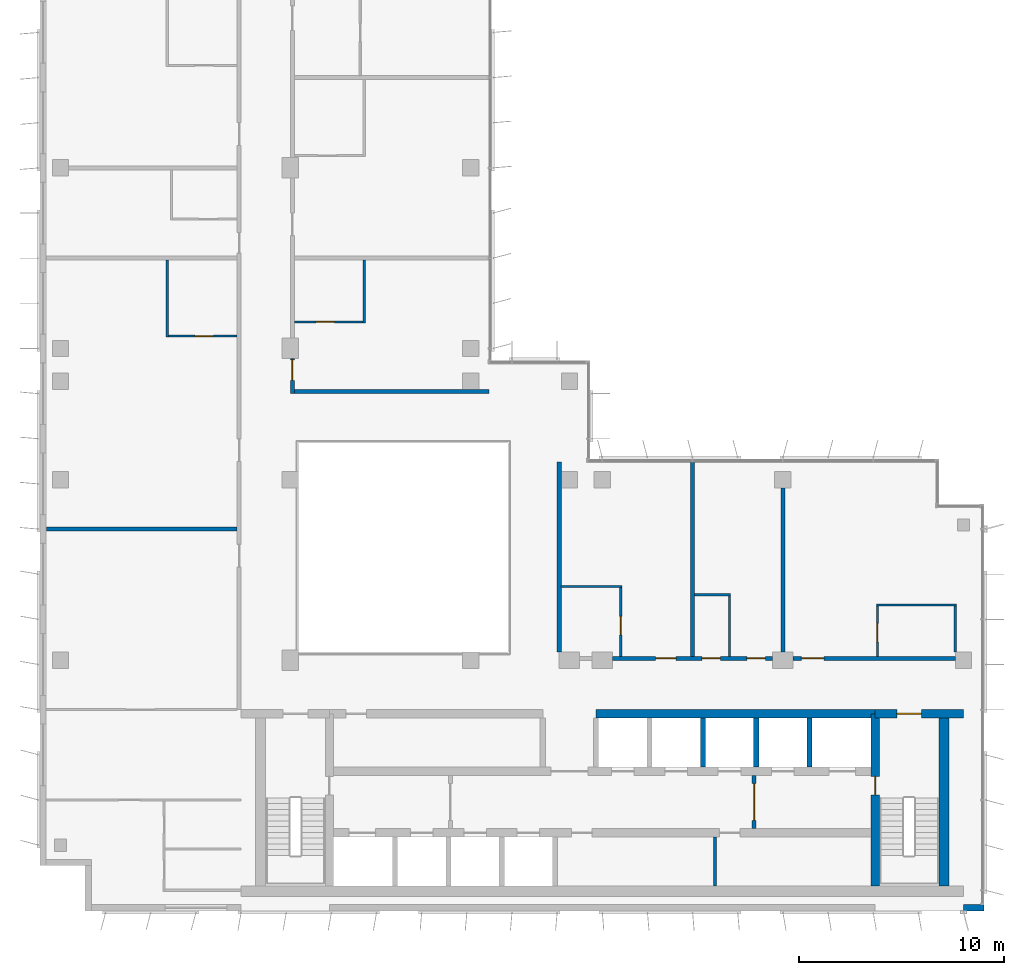
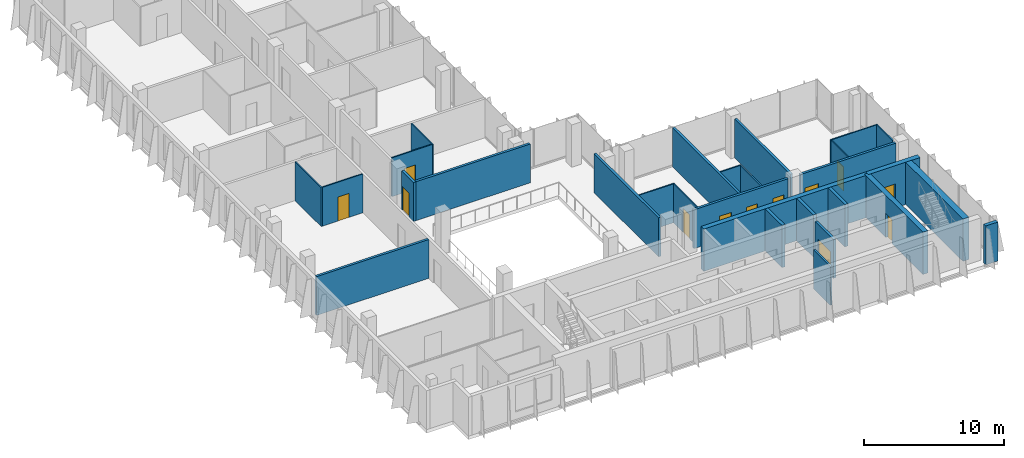
# One storey, part 10 of 15: 29 walls, 12 doors, 12 openings.
"""IFC4 building model written with IfcOpenShell, lengths in metres."""

from ifc_helpers import new_model, si_unit, direction, frame, frame_2d, origin, place, context, subcontext, project, spatial, rectangle, extrude, material, layer, layer_set, type_object, element, fill, save


model = new_model("IFC4")

# Units and contexts
model_context = context("Model", 3, precision=1e-05, world=origin(), true_north=direction((0.0, 1.0)))
body_context = subcontext(model_context, "Body", "Model", "MODEL_VIEW")
ifc_project = project(units=[si_unit("LENGTHUNIT", "METRE"), si_unit("AREAUNIT", "SQUARE_METRE"), si_unit("VOLUMEUNIT", "CUBIC_METRE"), si_unit("PLANEANGLEUNIT", "RADIAN"), si_unit("MASSUNIT", "GRAM", prefix="KILO")], contexts=[model_context])

# Site, building, storey
site_placement = place(None, origin())
site = spatial("IfcSite", under=ifc_project, at=site_placement, CompositionType="ELEMENT")
building_placement = place(site_placement, origin())
building = spatial("IfcBuilding", under=site, at=building_placement, Name="Kemantara Hotel Tower", CompositionType="ELEMENT")
storey_placement = place(building_placement, frame((0.0, 0.0, 264.800048828125)))
storey = spatial("IfcBuildingStorey", under=building, at=storey_placement, Name="L66", CompositionType="ELEMENT", Elevation=264.800048828125)

# Walls
ifc_material_1 = material(Name="Bronze anodised aluminium cladding on insulated steel stud wall", Category="steel")
ifc_layer_1 = layer(ifc_material_1, 0.300048828125)
ifc_layer_set_1 = layer_set([ifc_layer_1], Name="Bronze anodised aluminium cladding on insulated steel stud wall")
wall_type_1 = type_object("IfcWallType", Name="BRONZE METAL-CLAD EXTERNAL WALL 300", PredefinedType="STANDARD", material=ifc_layer_set_1)
wall_1_placement = place(storey_placement, frame((45.0, 0.14990234375, 0.0), z_axis=(0.0, 0.0, 1.0), x_axis=(1.0, 0.0, 0.0)))
element("IfcWall", 1, at=wall_1_placement, inside=storey, type_object=wall_type_1, Name="EXTERNAL WALL L66 T4-R08-3", PredefinedType="STANDARD", context=body_context, shape_type="SweptSolid", body=[
    extrude(rectangle(XDim=1.0, YDim=0.300048828125, at=frame_2d((0.5, 0.0))), origin(), (0.0, 0.0, 1.0), 3.39990234375),
])
ifc_material_2 = material(Name="Concrete fc 50 MPa", Category="concrete")
ifc_layer_2 = layer(ifc_material_2, 0.25)
ifc_layer_set_2 = layer_set([ifc_layer_2], Name="Concrete fc 50 MPa")
wall_type_2 = type_object("IfcWallType", Name="CORE WALL 250 FC50", PredefinedType="SHEAR", material=ifc_layer_set_2)
for number, where, z_axis, x_axis, name in (
    (2, (32.300048828125, 7.0, 0.0), (0.0, 0.0, 1.0), (0.0, 1.0, 0.0), "CORE WALL CW-DN32.3"),
    (3, (34.89990234375, 7.0, 0.0), (0.0, 0.0, 1.0), (0.0, 1.0, 0.0), "CORE WALL CW-DN34.9"),
    (4, (37.5, 7.0, 0.0), (0.0, 0.0, 1.0), (0.0, 1.0, 0.0), "CORE WALL CW-DN37.5"),
):
    element("IfcWall", number, at=place(storey_placement, frame(where, z_axis=z_axis, x_axis=x_axis)), inside=storey, type_object=wall_type_2, Name=name, PredefinedType="SHEAR", context=body_context, shape_type="SweptSolid", body=[
        extrude(rectangle(XDim=2.39990234375, YDim=0.25, at=frame_2d((1.199951171875, 0.0))), origin(), (0.0, 0.0, 1.0), 3.699951171875),
    ])

# Wall, opening, door
ifc_layer_3 = layer(ifc_material_2, 0.39990234375)
ifc_layer_set_3 = layer_set([ifc_layer_3], Name="Concrete fc 50 MPa")
wall_type_3 = type_object("IfcWallType", Name="CORE WALL 400 FC50", PredefinedType="SHEAR", material=ifc_layer_set_3)
wall_2_placement = place(storey_placement, frame((40.699951171875, 9.60009765625, 0.0), z_axis=(0.0, 0.0, 1.0), x_axis=(1.0, 0.0, 0.0)))
wall_2 = element("IfcWall", 5, at=wall_2_placement, inside=storey, type_object=wall_type_3, Name="CORE WALL CW-N2", PredefinedType="SHEAR", context=body_context, shape_type="SweptSolid", body=[
    extrude(rectangle(XDim=4.300048828125, YDim=0.39990234375, at=frame_2d((2.14990234375, 0.0))), origin(), (0.0, 0.0, 1.0), 3.699951171875),
])
opening_1_placement = place(wall_2_placement, frame((1.050048828125, 0.0, 0.0)))
opening_1 = element("IfcOpeningElement", 6, at=opening_1_placement, cuts=wall_2, Name="Opening C39-ST2-C", PredefinedType="OPENING", context=body_context, shape_type="SweptSolid", body=[
    extrude(rectangle(XDim=1.199951171875, YDim=2.10009765625, at=frame_2d((0.60009765625, 1.050048828125))), frame((0.0, 0.2099609375, 0.0), z_axis=(0.0, -1.0, 0.0), x_axis=(1.0, 0.0, 0.0)), (0.0, 0.0, 1.0), 0.419921875),
])
ifc_material_3 = material(Name="Steel fire door", Category="steel")
door_type_1 = type_object("IfcDoorType", Name="Fire door FD90 1200 x 2100", OperationType="NOTDEFINED", PredefinedType="DOOR", material=ifc_material_3)
door_1_placement = place(opening_1_placement, frame((1.199951171875, 0.0, 0.0), z_axis=(0.0, 0.0, 1.0), x_axis=(-1.0, 0.0, 0.0)))
door_1 = element("IfcDoor", 7, at=door_1_placement, inside=storey, type_object=door_type_1, Name="Stair ST2 door to corridor", OperationType="SINGLE_SWING_RIGHT", OverallHeight=2.10009765625, OverallWidth=1.199951171875, PredefinedType="DOOR", context=body_context, shape_type="SweptSolid", body=[
    extrude(rectangle(XDim=1.199951171875, YDim=2.10009765625, at=frame_2d((0.60009765625, 1.050048828125))), frame((0.0, 0.02490234375, 0.0), z_axis=(0.0, -1.0, 0.0), x_axis=(1.0, 0.0, 0.0)), (0.0, 0.0, 1.0), 0.050048828125),
])
fill(opening_1, door_1)

# Wall
wall_3_placement = place(storey_placement, frame((27.10009765625, 9.60009765625, 0.0), z_axis=(0.0, 0.0, 1.0), x_axis=(1.0, 0.0, 0.0)))
element("IfcWall", 8, at=wall_3_placement, inside=storey, type_object=wall_type_3, Name="CORE WALL CW-NN2", PredefinedType="SHEAR", context=body_context, shape_type="SweptSolid", body=[
    extrude(rectangle(XDim=13.599853515625, YDim=0.39990234375, at=frame_2d((6.7998046875, 0.0))), origin(), (0.0, 0.0, 1.0), 3.699951171875),
])

# Wall, opening, door
wall_4_placement = place(storey_placement, frame((40.699951171875, 1.199951171875, 0.0), z_axis=(0.0, 0.0, 1.0), x_axis=(0.0, 1.0, 0.0)))
wall_4 = element("IfcWall", 9, at=wall_4_placement, inside=storey, type_object=wall_type_3, Name="CORE WALL CW-ST2W", PredefinedType="SHEAR", context=body_context, shape_type="SweptSolid", body=[
    extrude(rectangle(XDim=8.400146484375, YDim=0.39990234375, at=frame_2d((4.2001953125, 0.0))), origin(), (0.0, 0.0, 1.0), 3.699951171875),
])
opening_2_placement = place(wall_4_placement, frame((4.449951171875, 0.0, 0.0)))
opening_2 = element("IfcOpeningElement", 10, at=opening_2_placement, cuts=wall_4, Name="Opening C39-ST2-F", PredefinedType="OPENING", context=body_context, shape_type="SweptSolid", body=[
    extrude(rectangle(XDim=0.89990234375, YDim=2.10009765625, at=frame_2d((0.449951171875, 1.050048828125))), frame((0.0, 0.2099609375, 0.0), z_axis=(0.0, -1.0, 0.0), x_axis=(1.0, 0.0, 0.0)), (0.0, 0.0, 1.0), 0.419921875),
])
door_type_2 = type_object("IfcDoorType", Name="Fire door FD90 900 x 2100", OperationType="NOTDEFINED", PredefinedType="DOOR", material=ifc_material_3)
door_2_placement = place(opening_2_placement, frame((0.89990234375, 0.0, 0.0), z_axis=(0.0, 0.0, 1.0), x_axis=(-1.0, 0.0, 0.0)))
door_2 = element("IfcDoor", 11, at=door_2_placement, inside=storey, type_object=door_type_2, Name="Stair ST2 door to firefighting lobby", OperationType="SINGLE_SWING_LEFT", OverallHeight=2.10009765625, OverallWidth=0.89990234375, PredefinedType="DOOR", context=body_context, shape_type="SweptSolid", body=[
    extrude(rectangle(XDim=0.89990234375, YDim=2.10009765625, at=frame_2d((0.449951171875, 1.050048828125))), frame((0.0, 0.02490234375, 0.0), z_axis=(0.0, -1.0, 0.0), x_axis=(1.0, 0.0, 0.0)), (0.0, 0.0, 1.0), 0.050048828125),
])
fill(opening_2, door_2)

# Wall
ifc_layer_4 = layer(ifc_material_2, 0.5)
ifc_layer_set_4 = layer_set([ifc_layer_4], Name="Concrete fc 50 MPa")
wall_type_4 = type_object("IfcWallType", Name="CORE WALL 500 FC50", PredefinedType="SHEAR", material=ifc_layer_set_4)
wall_5_placement = place(storey_placement, frame((44.050048828125, 1.199951171875, 0.0), z_axis=(0.0, 0.0, 1.0), x_axis=(0.0, 1.0, 0.0)))
element("IfcWall", 12, at=wall_5_placement, inside=storey, type_object=wall_type_4, Name="CORE WALL CW-E", PredefinedType="SHEAR", context=body_context, shape_type="SweptSolid", body=[
    extrude(rectangle(XDim=8.60009765625, YDim=0.5, at=frame_2d((4.300048828125, 0.0))), origin(), (0.0, 0.0, 1.0), 3.699951171875),
])

# Wall, openings, doors
ifc_material_4 = material(Name="Gypsum board partition, steel studs and mineral wool, 200 mm", Category="steel")
ifc_layer_5 = layer(ifc_material_4, 0.199951171875)
ifc_layer_set_5 = layer_set([ifc_layer_5], Name="Gypsum board partition, steel studs and mineral wool, 200 mm")
wall_type_5 = type_object("IfcWallType", Name="CORRIDOR WALL 200", PredefinedType="PARTITIONING", material=ifc_layer_set_5)
wall_6_placement = place(storey_placement, frame((27.900146484375, 12.300048828125, 0.0), z_axis=(0.0, 0.0, 1.0), x_axis=(1.0, 0.0, 0.0)))
wall_6 = element("IfcWall", 13, at=wall_6_placement, inside=storey, type_object=wall_type_5, Name="CORRIDOR WALL 200 002", PredefinedType="PARTITIONING", context=body_context, shape_type="SweptSolid", body=[
    extrude(rectangle(XDim=7.7998046875, YDim=0.199951171875, at=frame_2d((3.89990234375, 0.0))), origin(), (0.0, 0.0, 1.0), 3.39990234375),
])
opening_3_placement = place(wall_6_placement, frame((2.099853515625, 0.0, 0.0)))
opening_3 = element("IfcOpeningElement", 14, at=opening_3_placement, cuts=wall_6, Name="Opening F32-001", PredefinedType="OPENING", context=body_context, shape_type="SweptSolid", body=[
    extrude(rectangle(XDim=1.0, YDim=2.10009765625, at=frame_2d((0.5, 1.050048828125))), frame((0.0, 0.10986328125, 0.0), z_axis=(0.0, -1.0, 0.0), x_axis=(1.0, 0.0, 0.0)), (0.0, 0.0, 1.0), 0.219970703125),
])
opening_4_placement = place(wall_6_placement, frame((6.5498046875, 0.0, 0.0)))
opening_4 = element("IfcOpeningElement", 15, at=opening_4_placement, cuts=wall_6, Name="Opening F32-003", PredefinedType="OPENING", context=body_context, shape_type="SweptSolid", body=[
    extrude(rectangle(XDim=0.89990234375, YDim=2.10009765625, at=frame_2d((0.449951171875, 1.050048828125))), frame((0.0, 0.10986328125, 0.0), z_axis=(0.0, -1.0, 0.0), x_axis=(1.0, 0.0, 0.0)), (0.0, 0.0, 1.0), 0.219970703125),
])
opening_5_placement = place(wall_6_placement, frame((4.349853515625, 0.0, 0.0)))
opening_5 = element("IfcOpeningElement", 16, at=opening_5_placement, cuts=wall_6, Name="Opening F32-004", PredefinedType="OPENING", context=body_context, shape_type="SweptSolid", body=[
    extrude(rectangle(XDim=0.89990234375, YDim=2.10009765625, at=frame_2d((0.449951171875, 1.050048828125))), frame((0.0, 0.10986328125, 0.0), z_axis=(0.0, -1.0, 0.0), x_axis=(1.0, 0.0, 0.0)), (0.0, 0.0, 1.0), 0.219970703125),
])
ifc_material_5 = material(Name="Hardwood veneer door leaf with steel frame", Category="steel")
door_type_3 = type_object("IfcDoorType", Name="GUEST ROOM DOOR 1000 X 2100 FD30S", OperationType="NOTDEFINED", PredefinedType="DOOR", material=ifc_material_5)
door_3_placement = place(opening_3_placement, origin())
door_3 = element("IfcDoor", 17, at=door_3_placement, inside=storey, type_object=door_type_3, Name="GUEST ROOM DOOR F32-001", OperationType="SINGLE_SWING_RIGHT", OverallHeight=2.10009765625, OverallWidth=1.0, PredefinedType="DOOR", context=body_context, shape_type="SweptSolid", body=[
    extrude(rectangle(XDim=1.0, YDim=2.10009765625, at=frame_2d((0.5, 1.050048828125))), frame((0.0, 0.02490234375, 0.0), z_axis=(0.0, -1.0, 0.0), x_axis=(1.0, 0.0, 0.0)), (0.0, 0.0, 1.0), 0.050048828125),
])
fill(opening_3, door_3)
ifc_material_6 = material(Name="Steel door leaf with steel frame", Category="steel")
door_type_4 = type_object("IfcDoorType", Name="SERVICE ROOM DOOR 900 X 2100 FD60", OperationType="NOTDEFINED", PredefinedType="DOOR", material=ifc_material_6)
door_4_placement = place(opening_4_placement, origin())
door_4 = element("IfcDoor", 18, at=door_4_placement, inside=storey, type_object=door_type_4, Name="SERVICE ROOM DOOR F32-003", OperationType="SINGLE_SWING_RIGHT", OverallHeight=2.10009765625, OverallWidth=0.89990234375, PredefinedType="DOOR", context=body_context, shape_type="SweptSolid", body=[
    extrude(rectangle(XDim=0.89990234375, YDim=2.10009765625, at=frame_2d((0.449951171875, 1.050048828125))), frame((0.0, 0.02490234375, 0.0), z_axis=(0.0, -1.0, 0.0), x_axis=(1.0, 0.0, 0.0)), (0.0, 0.0, 1.0), 0.050048828125),
])
fill(opening_4, door_4)
door_5_placement = place(opening_5_placement, origin())
door_5 = element("IfcDoor", 19, at=door_5_placement, inside=storey, type_object=door_type_4, Name="SERVICE ROOM DOOR F32-004", OperationType="SINGLE_SWING_LEFT", OverallHeight=2.10009765625, OverallWidth=0.89990234375, PredefinedType="DOOR", context=body_context, shape_type="SweptSolid", body=[
    extrude(rectangle(XDim=0.89990234375, YDim=2.10009765625, at=frame_2d((0.449951171875, 1.050048828125))), frame((0.0, 0.02490234375, 0.0), z_axis=(0.0, -1.0, 0.0), x_axis=(1.0, 0.0, 0.0)), (0.0, 0.0, 1.0), 0.050048828125),
])
fill(opening_5, door_5)

# Wall, opening, door
wall_7_placement = place(storey_placement, frame((36.7001953125, 12.300048828125, 0.0), z_axis=(0.0, 0.0, 1.0), x_axis=(1.0, 0.0, 0.0)))
wall_7 = element("IfcWall", 20, at=wall_7_placement, inside=storey, type_object=wall_type_5, Name="CORRIDOR WALL 200 003", PredefinedType="PARTITIONING", context=body_context, shape_type="SweptSolid", body=[
    extrude(rectangle(XDim=7.899658203125, YDim=0.199951171875, at=frame_2d((3.94970703125, 0.0))), origin(), (0.0, 0.0, 1.0), 3.39990234375),
])
opening_6_placement = place(wall_7_placement, frame((0.39990234375, 0.0, 0.0)))
opening_6 = element("IfcOpeningElement", 21, at=opening_6_placement, cuts=wall_7, Name="Opening F32-005", PredefinedType="OPENING", context=body_context, shape_type="SweptSolid", body=[
    extrude(rectangle(XDim=1.10009765625, YDim=2.10009765625, at=frame_2d((0.550048828125, 1.050048828125))), frame((0.0, 0.10986328125, 0.0), z_axis=(0.0, -1.0, 0.0), x_axis=(1.0, 0.0, 0.0)), (0.0, 0.0, 1.0), 0.219970703125),
])
door_type_5 = type_object("IfcDoorType", Name="SUITE ENTRANCE DOOR 1100 X 2100 FD30S", OperationType="NOTDEFINED", PredefinedType="DOOR", material=ifc_material_5)
door_6_placement = place(opening_6_placement, origin())
door_6 = element("IfcDoor", 22, at=door_6_placement, inside=storey, type_object=door_type_5, Name="SUITE ENTRANCE DOOR F32-005", OperationType="SINGLE_SWING_LEFT", OverallHeight=2.10009765625, OverallWidth=1.10009765625, PredefinedType="DOOR", context=body_context, shape_type="SweptSolid", body=[
    extrude(rectangle(XDim=1.10009765625, YDim=2.10009765625, at=frame_2d((0.550048828125, 1.050048828125))), frame((0.0, 0.02490234375, 0.0), z_axis=(0.0, -1.0, 0.0), x_axis=(1.0, 0.0, 0.0)), (0.0, 0.0, 1.0), 0.050048828125),
])
fill(opening_6, door_6)

wall_8_placement = place(storey_placement, frame((12.300048828125, 26.89990234375, 0.0), z_axis=(0.0, 0.0, 1.0), x_axis=(0.0, -1.0, 0.0)))
wall_8 = element("IfcWall", 23, at=wall_8_placement, inside=storey, type_object=wall_type_5, Name="CORRIDOR WALL 200 014", PredefinedType="PARTITIONING", context=body_context, shape_type="SweptSolid", body=[
    extrude(rectangle(XDim=1.699951171875, YDim=0.199951171875, at=frame_2d((0.85009765625, 0.0))), origin(), (0.0, 0.0, 1.0), 3.39990234375),
])
opening_7_placement = place(wall_8_placement, frame((0.0498046875, 0.0, 0.0)))
opening_7 = element("IfcOpeningElement", 24, at=opening_7_placement, cuts=wall_8, Name="Opening F32-020", PredefinedType="OPENING", context=body_context, shape_type="SweptSolid", body=[
    extrude(rectangle(XDim=1.0, YDim=2.10009765625, at=frame_2d((0.5, 1.050048828125))), frame((0.0, 0.10986328125, 0.0), z_axis=(0.0, -1.0, 0.0), x_axis=(1.0, 0.0, 0.0)), (0.0, 0.0, 1.0), 0.219970703125),
])
door_7_placement = place(opening_7_placement, origin())
door_7 = element("IfcDoor", 25, at=door_7_placement, inside=storey, type_object=door_type_3, Name="GUEST ROOM DOOR F32-020", OperationType="SINGLE_SWING_RIGHT", OverallHeight=2.10009765625, OverallWidth=1.0, PredefinedType="DOOR", context=body_context, shape_type="SweptSolid", body=[
    extrude(rectangle(XDim=1.0, YDim=2.10009765625, at=frame_2d((0.5, 1.050048828125))), frame((0.0, 0.02490234375, 0.0), z_axis=(0.0, -1.0, 0.0), x_axis=(1.0, 0.0, 0.0)), (0.0, 0.0, 1.0), 0.050048828125),
])
fill(opening_7, door_7)

# Walls
ifc_layer_6 = layer(ifc_material_4, 0.199951171875)
ifc_layer_set_6 = layer_set([ifc_layer_6], Name="Gypsum board partition, steel studs and mineral wool, 200 mm")
wall_type_6 = type_object("IfcWallType", Name="GUEST ROOM PARTY WALL 200", PredefinedType="PARTITIONING", material=ifc_layer_set_6)
wall_9_placement = place(storey_placement, frame((25.300048828125, 12.60009765625, 0.0), z_axis=(0.0, 0.0, 1.0), x_axis=(0.0, 1.0, 0.0)))
element("IfcWall", 26, at=wall_9_placement, inside=storey, type_object=wall_type_6, Name="GUEST ROOM PARTY WALL 200 004", PredefinedType="PARTITIONING", context=body_context, shape_type="SweptSolid", body=[
    extrude(rectangle(XDim=9.27001953125, YDim=0.199951171875, at=frame_2d((4.635009765625, 0.0))), origin(), (0.0, 0.0, 1.0), 3.39990234375),
])
wall_10_placement = place(storey_placement, frame((31.800048828125, 12.39990234375, 0.0), z_axis=(0.0, 0.0, 1.0), x_axis=(0.0, 1.0, 0.0)))
element("IfcWall", 27, at=wall_10_placement, inside=storey, type_object=wall_type_6, Name="GUEST ROOM PARTY WALL 200 005", PredefinedType="PARTITIONING", context=body_context, shape_type="SweptSolid", body=[
    extrude(rectangle(XDim=9.47021484375, YDim=0.199951171875, at=frame_2d((4.735107421875, 0.0))), origin(), (0.0, 0.0, 1.0), 3.39990234375),
])
wall_11_placement = place(storey_placement, frame((36.199951171875, 12.60009765625, 0.0), z_axis=(0.0, 0.0, 1.0), x_axis=(0.0, 1.0, 0.0)))
element("IfcWall", 28, at=wall_11_placement, inside=storey, type_object=wall_type_6, Name="GUEST ROOM PARTY WALL 200 006", PredefinedType="PARTITIONING", context=body_context, shape_type="SweptSolid", body=[
    extrude(rectangle(XDim=7.999755859375, YDim=0.199951171875, at=frame_2d((4.0, 0.0))), origin(), (0.0, 0.0, 1.0), 3.39990234375),
])
wall_12_placement = place(storey_placement, frame((0.31005859375, 18.60009765625, 0.0), z_axis=(0.0, 0.0, 1.0), x_axis=(1.0, 0.0, 0.0)))
element("IfcWall", 29, at=wall_12_placement, inside=storey, type_object=wall_type_6, Name="GUEST ROOM PARTY WALL 200 009", PredefinedType="PARTITIONING", context=body_context, shape_type="SweptSolid", body=[
    extrude(rectangle(XDim=9.2900390625, YDim=0.199951171875, at=frame_2d((4.64501953125, 0.0))), origin(), (0.0, 0.0, 1.0), 3.39990234375),
])
wall_13_placement = place(storey_placement, frame((12.39990234375, 25.300048828125, 0.0), z_axis=(0.0, 0.0, 1.0), x_axis=(1.0, 0.0, 0.0)))
element("IfcWall", 30, at=wall_13_placement, inside=storey, type_object=wall_type_6, Name="GUEST ROOM PARTY WALL 200 019", PredefinedType="PARTITIONING", context=body_context, shape_type="SweptSolid", body=[
    extrude(rectangle(XDim=9.47021484375, YDim=0.199951171875, at=frame_2d((4.735107421875, 0.0))), origin(), (0.0, 0.0, 1.0), 3.39990234375),
])
ifc_material_7 = material(Name="Gypsum board partition")
ifc_layer_7 = layer(ifc_material_7, 0.14990234375)
ifc_layer_set_7 = layer_set([ifc_layer_7], Name="Gypsum board partition")
wall_type_7 = type_object("IfcWallType", Name="Gypsum board partition 150 mm", PredefinedType="PARTITIONING", material=ifc_layer_set_7)
wall_14_placement = place(storey_placement, frame((32.89990234375, 1.199951171875, 0.0), z_axis=(0.0, 0.0, 1.0), x_axis=(0.0, 1.0, 0.0)))
element("IfcWall", 31, at=wall_14_placement, inside=storey, type_object=wall_type_7, Name="Core room partition", PredefinedType="PARTITIONING", context=body_context, shape_type="SweptSolid", body=[
    extrude(rectangle(XDim=2.400146484375, YDim=0.14990234375, at=frame_2d((1.2001953125, 0.0))), origin(), (0.0, 0.0, 1.0), 3.39990234375),
])

# Wall, opening, door
ifc_material_8 = material(Name="Gypsum board shaft wall")
ifc_layer_8 = layer(ifc_material_8, 0.199951171875)
ifc_layer_set_8 = layer_set([ifc_layer_8], Name="Gypsum board shaft wall")
wall_type_8 = type_object("IfcWallType", Name="Gypsum board shaft wall 200 mm", PredefinedType="PARTITIONING", material=ifc_layer_set_8)
wall_15_placement = place(storey_placement, frame((34.800048828125, 4.0, 0.0), z_axis=(0.0, 0.0, 1.0), x_axis=(0.0, 1.0, 0.0)))
wall_15 = element("IfcWall", 32, at=wall_15_placement, inside=storey, type_object=wall_type_8, Name="Firefighting lobby partition east", PredefinedType="PARTITIONING", context=body_context, shape_type="SweptSolid", body=[
    extrude(rectangle(XDim=2.60009765625, YDim=0.199951171875, at=frame_2d((1.300048828125, 0.0))), origin(), (0.0, 0.0, 1.0), 3.39990234375),
])
opening_8_placement = place(wall_15_placement, frame((0.39990234375, 0.0, 0.0)))
opening_8 = element("IfcOpeningElement", 33, at=opening_8_placement, cuts=wall_15, Name="Opening C39-FFE", PredefinedType="OPENING", context=body_context, shape_type="SweptSolid", body=[
    extrude(rectangle(XDim=1.800048828125, YDim=2.10009765625, at=frame_2d((0.89990234375, 1.050048828125))), frame((0.0, 0.10986328125, 0.0), z_axis=(0.0, -1.0, 0.0), x_axis=(1.0, 0.0, 0.0)), (0.0, 0.0, 1.0), 0.219970703125),
])
door_type_6 = type_object("IfcDoorType", Name="Fire door pair FD60 1800 x 2100", OperationType="DOUBLE_DOOR_SINGLE_SWING", PredefinedType="DOOR", material=ifc_material_3)
door_8_placement = place(opening_8_placement, frame((1.800048828125, 0.0, 0.0), z_axis=(0.0, 0.0, 1.0), x_axis=(-1.0, 0.0, 0.0)))
door_8 = element("IfcDoor", 34, at=door_8_placement, inside=storey, type_object=door_type_6, Name="Firefighting lobby door east", OperationType="DOUBLE_DOOR_SINGLE_SWING", OverallHeight=2.10009765625, OverallWidth=1.800048828125, PredefinedType="DOOR", context=body_context, shape_type="SweptSolid", body=[
    extrude(rectangle(XDim=1.800048828125, YDim=2.10009765625, at=frame_2d((0.89990234375, 1.050048828125))), frame((0.0, 0.02490234375, 0.0), z_axis=(0.0, -1.0, 0.0), x_axis=(1.0, 0.0, 0.0)), (0.0, 0.0, 1.0), 0.050048828125),
])
fill(opening_8, door_8)

# Wall
ifc_material_9 = material(Name="Gypsum board partition on steel studs, 100 mm", Category="steel")
ifc_layer_9 = layer(ifc_material_9, 0.10009765625)
ifc_layer_set_9 = layer_set([ifc_layer_9], Name="Gypsum board partition on steel studs, 100 mm")
wall_type_9 = type_object("IfcWallType", Name="ROOM PARTITION 100", PredefinedType="PARTITIONING", material=ifc_layer_set_9)
wall_16_placement = place(storey_placement, frame((25.39990234375, 15.800048828125, 0.0), z_axis=(0.0, 0.0, 1.0), x_axis=(1.0, 0.0, 0.0)))
element("IfcWall", 35, at=wall_16_placement, inside=storey, type_object=wall_type_9, Name="ROOM PARTITION 100 022", PredefinedType="PARTITIONING", context=body_context, shape_type="SweptSolid", body=[
    extrude(rectangle(XDim=2.9501953125, YDim=0.10009765625, at=frame_2d((1.47509765625, 0.0))), origin(), (0.0, 0.0, 1.0), 3.39990234375),
])

# Wall, opening, door
wall_17_placement = place(storey_placement, frame((28.300048828125, 12.39990234375, 0.0), z_axis=(0.0, 0.0, 1.0), x_axis=(0.0, 1.0, 0.0)))
wall_17 = element("IfcWall", 36, at=wall_17_placement, inside=storey, type_object=wall_type_9, Name="ROOM PARTITION 100 023", PredefinedType="PARTITIONING", context=body_context, shape_type="SweptSolid", body=[
    extrude(rectangle(XDim=3.35009765625, YDim=0.10009765625, at=frame_2d((1.675048828125, 0.0))), origin(), (0.0, 0.0, 1.0), 3.39990234375),
])
opening_9_placement = place(wall_17_placement, frame((1.050048828125, 0.0, 0.0)))
opening_9 = element("IfcOpeningElement", 37, at=opening_9_placement, cuts=wall_17, Name="Opening F32-002", PredefinedType="OPENING", context=body_context, shape_type="SweptSolid", body=[
    extrude(rectangle(XDim=0.89990234375, YDim=2.10009765625, at=frame_2d((0.449951171875, 1.050048828125))), frame((0.0, 0.06005859375, 0.0), z_axis=(0.0, -1.0, 0.0), x_axis=(1.0, 0.0, 0.0)), (0.0, 0.0, 1.0), 0.1201171875),
])
door_type_7 = type_object("IfcDoorType", Name="BATHROOM DOOR 900 X 2100", OperationType="NOTDEFINED", PredefinedType="DOOR", material=ifc_material_5)
door_9_placement = place(opening_9_placement, origin())
door_9 = element("IfcDoor", 38, at=door_9_placement, inside=storey, type_object=door_type_7, Name="BATHROOM DOOR F32-002", OperationType="SINGLE_SWING_LEFT", OverallHeight=2.10009765625, OverallWidth=0.89990234375, PredefinedType="DOOR", context=body_context, shape_type="SweptSolid", body=[
    extrude(rectangle(XDim=0.89990234375, YDim=2.10009765625, at=frame_2d((0.449951171875, 1.050048828125))), frame((0.0, 0.02490234375, 0.0), z_axis=(0.0, -1.0, 0.0), x_axis=(1.0, 0.0, 0.0)), (0.0, 0.0, 1.0), 0.050048828125),
])
fill(opening_9, door_9)

# Walls
wall_18_placement = place(storey_placement, frame((31.89990234375, 15.39990234375, 0.0), z_axis=(0.0, 0.0, 1.0), x_axis=(1.0, 0.0, 0.0)))
element("IfcWall", 39, at=wall_18_placement, inside=storey, type_object=wall_type_9, Name="ROOM PARTITION 100 024", PredefinedType="PARTITIONING", context=body_context, shape_type="SweptSolid", body=[
    extrude(rectangle(XDim=1.75, YDim=0.10009765625, at=frame_2d((0.875, 0.0))), origin(), (0.0, 0.0, 1.0), 3.39990234375),
])
wall_19_placement = place(storey_placement, frame((33.60009765625, 12.39990234375, 0.0), z_axis=(0.0, 0.0, 1.0), x_axis=(0.0, 1.0, 0.0)))
element("IfcWall", 40, at=wall_19_placement, inside=storey, type_object=wall_type_9, Name="ROOM PARTITION 100 025", PredefinedType="PARTITIONING", context=body_context, shape_type="SweptSolid", body=[
    extrude(rectangle(XDim=2.9501953125, YDim=0.10009765625, at=frame_2d((1.47509765625, 0.0))), origin(), (0.0, 0.0, 1.0), 3.39990234375),
])
wall_20_placement = place(storey_placement, frame((40.75, 14.89990234375, 0.0), z_axis=(0.0, 0.0, 1.0), x_axis=(1.0, 0.0, 0.0)))
element("IfcWall", 41, at=wall_20_placement, inside=storey, type_object=wall_type_9, Name="ROOM PARTITION 100 026", PredefinedType="PARTITIONING", context=body_context, shape_type="SweptSolid", body=[
    extrude(rectangle(XDim=3.89990234375, YDim=0.10009765625, at=frame_2d((1.949951171875, 0.0))), origin(), (0.0, 0.0, 1.0), 3.39990234375),
])

# Wall, opening, door
wall_21_placement = place(storey_placement, frame((40.800048828125, 14.85009765625, 0.0), z_axis=(0.0, 0.0, 1.0), x_axis=(0.0, -1.0, 0.0)))
wall_21 = element("IfcWall", 42, at=wall_21_placement, inside=storey, type_object=wall_type_9, Name="ROOM PARTITION 100 027", PredefinedType="PARTITIONING", context=body_context, shape_type="SweptSolid", body=[
    extrude(rectangle(XDim=2.4501953125, YDim=0.10009765625, at=frame_2d((1.22509765625, 0.0))), origin(), (0.0, 0.0, 1.0), 3.39990234375),
])
opening_10_placement = place(wall_21_placement, frame((0.85009765625, 0.0, 0.0)))
opening_10 = element("IfcOpeningElement", 43, at=opening_10_placement, cuts=wall_21, Name="Opening F32-006", PredefinedType="OPENING", context=body_context, shape_type="SweptSolid", body=[
    extrude(rectangle(XDim=0.89990234375, YDim=2.10009765625, at=frame_2d((0.449951171875, 1.050048828125))), frame((0.0, 0.06005859375, 0.0), z_axis=(0.0, -1.0, 0.0), x_axis=(1.0, 0.0, 0.0)), (0.0, 0.0, 1.0), 0.1201171875),
])
door_10_placement = place(opening_10_placement, origin())
door_10 = element("IfcDoor", 44, at=door_10_placement, inside=storey, type_object=door_type_7, Name="BATHROOM DOOR F32-006", OperationType="SINGLE_SWING_RIGHT", OverallHeight=2.10009765625, OverallWidth=0.89990234375, PredefinedType="DOOR", context=body_context, shape_type="SweptSolid", body=[
    extrude(rectangle(XDim=0.89990234375, YDim=2.10009765625, at=frame_2d((0.449951171875, 1.050048828125))), frame((0.0, 0.02490234375, 0.0), z_axis=(0.0, -1.0, 0.0), x_axis=(1.0, 0.0, 0.0)), (0.0, 0.0, 1.0), 0.050048828125),
])
fill(opening_10, door_10)

# Walls
wall_22_placement = place(storey_placement, frame((44.60009765625, 12.60009765625, 0.0), z_axis=(0.0, 0.0, 1.0), x_axis=(0.0, 1.0, 0.0)))
element("IfcWall", 45, at=wall_22_placement, inside=storey, type_object=wall_type_9, Name="ROOM PARTITION 100 028", PredefinedType="PARTITIONING", context=body_context, shape_type="SweptSolid", body=[
    extrude(rectangle(XDim=2.25, YDim=0.10009765625, at=frame_2d((1.125, 0.0))), origin(), (0.0, 0.0, 1.0), 3.39990234375),
])
wall_23_placement = place(storey_placement, frame((6.199951171875, 27.949951171875, 0.0), z_axis=(0.0, 0.0, 1.0), x_axis=(0.0, 1.0, 0.0)))
element("IfcWall", 46, at=wall_23_placement, inside=storey, type_object=wall_type_9, Name="ROOM PARTITION 100 034", PredefinedType="PARTITIONING", context=body_context, shape_type="SweptSolid", body=[
    extrude(rectangle(XDim=3.75, YDim=0.10009765625, at=frame_2d((1.875, 0.0))), origin(), (0.0, 0.0, 1.0), 3.39990234375),
])

# Wall, opening, door
wall_24_placement = place(storey_placement, frame((6.25, 28.0, 0.0), z_axis=(0.0, 0.0, 1.0), x_axis=(1.0, 0.0, 0.0)))
wall_24 = element("IfcWall", 47, at=wall_24_placement, inside=storey, type_object=wall_type_9, Name="ROOM PARTITION 100 037", PredefinedType="PARTITIONING", context=body_context, shape_type="SweptSolid", body=[
    extrude(rectangle(XDim=3.35009765625, YDim=0.10009765625, at=frame_2d((1.675048828125, 0.0))), origin(), (0.0, 0.0, 1.0), 3.39990234375),
])
opening_11_placement = place(wall_24_placement, frame((1.300048828125, 0.0, 0.0)))
opening_11 = element("IfcOpeningElement", 48, at=opening_11_placement, cuts=wall_24, Name="Opening F32-013", PredefinedType="OPENING", context=body_context, shape_type="SweptSolid", body=[
    extrude(rectangle(XDim=0.89990234375, YDim=2.10009765625, at=frame_2d((0.449951171875, 1.050048828125))), frame((0.0, 0.06005859375, 0.0), z_axis=(0.0, -1.0, 0.0), x_axis=(1.0, 0.0, 0.0)), (0.0, 0.0, 1.0), 0.1201171875),
])
door_11_placement = place(opening_11_placement, origin())
door_11 = element("IfcDoor", 49, at=door_11_placement, inside=storey, type_object=door_type_7, Name="BATHROOM DOOR F32-013", OperationType="SINGLE_SWING_RIGHT", OverallHeight=2.10009765625, OverallWidth=0.89990234375, PredefinedType="DOOR", context=body_context, shape_type="SweptSolid", body=[
    extrude(rectangle(XDim=0.89990234375, YDim=2.10009765625, at=frame_2d((0.449951171875, 1.050048828125))), frame((0.0, 0.02490234375, 0.0), z_axis=(0.0, -1.0, 0.0), x_axis=(1.0, 0.0, 0.0)), (0.0, 0.0, 1.0), 0.050048828125),
])
fill(opening_11, door_11)

# Wall
wall_25_placement = place(storey_placement, frame((15.800048828125, 28.64990234375, 0.0), z_axis=(0.0, 0.0, 1.0), x_axis=(0.0, 1.0, 0.0)))
element("IfcWall", 50, at=wall_25_placement, inside=storey, type_object=wall_type_9, Name="ROOM PARTITION 100 042", PredefinedType="PARTITIONING", context=body_context, shape_type="SweptSolid", body=[
    extrude(rectangle(XDim=3.050048828125, YDim=0.10009765625, at=frame_2d((1.52490234375, 0.0))), origin(), (0.0, 0.0, 1.0), 3.39990234375),
])

# Wall, opening, door
wall_26_placement = place(storey_placement, frame((12.39990234375, 28.699951171875, 0.0), z_axis=(0.0, 0.0, 1.0), x_axis=(1.0, 0.0, 0.0)))
wall_26 = element("IfcWall", 51, at=wall_26_placement, inside=storey, type_object=wall_type_9, Name="ROOM PARTITION 100 044", PredefinedType="PARTITIONING", context=body_context, shape_type="SweptSolid", body=[
    extrude(rectangle(XDim=3.35009765625, YDim=0.10009765625, at=frame_2d((1.675048828125, 0.0))), origin(), (0.0, 0.0, 1.0), 3.39990234375),
])
opening_12_placement = place(wall_26_placement, frame((1.050048828125, 0.0, 0.0)))
opening_12 = element("IfcOpeningElement", 52, at=opening_12_placement, cuts=wall_26, Name="Opening F32-021", PredefinedType="OPENING", context=body_context, shape_type="SweptSolid", body=[
    extrude(rectangle(XDim=0.89990234375, YDim=2.10009765625, at=frame_2d((0.449951171875, 1.050048828125))), frame((0.0, 0.06005859375, 0.0), z_axis=(0.0, -1.0, 0.0), x_axis=(1.0, 0.0, 0.0)), (0.0, 0.0, 1.0), 0.1201171875),
])
door_12_placement = place(opening_12_placement, origin())
door_12 = element("IfcDoor", 53, at=door_12_placement, inside=storey, type_object=door_type_7, Name="BATHROOM DOOR F32-021", OperationType="SINGLE_SWING_LEFT", OverallHeight=2.10009765625, OverallWidth=0.89990234375, PredefinedType="DOOR", context=body_context, shape_type="SweptSolid", body=[
    extrude(rectangle(XDim=0.89990234375, YDim=2.10009765625, at=frame_2d((0.449951171875, 1.050048828125))), frame((0.0, 0.02490234375, 0.0), z_axis=(0.0, -1.0, 0.0), x_axis=(1.0, 0.0, 0.0)), (0.0, 0.0, 1.0), 0.050048828125),
])
fill(opening_12, door_12)

save(model, "model.ifc")
